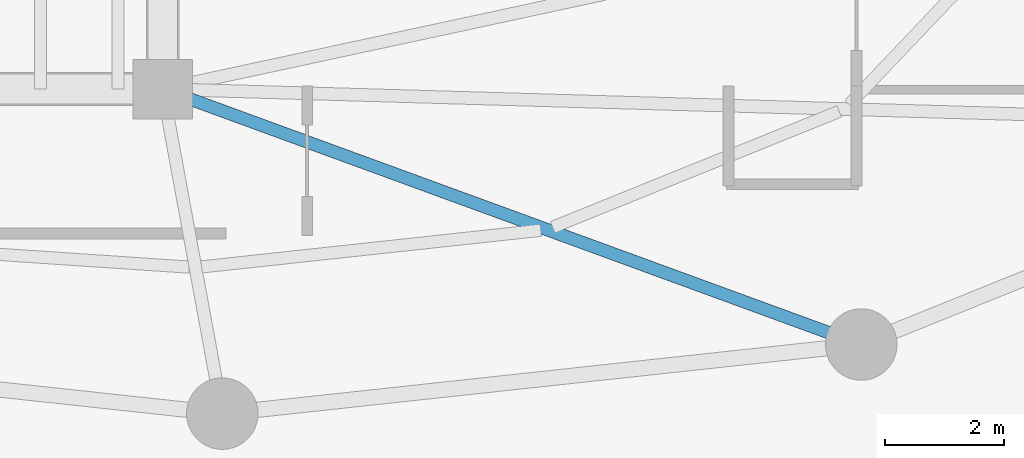
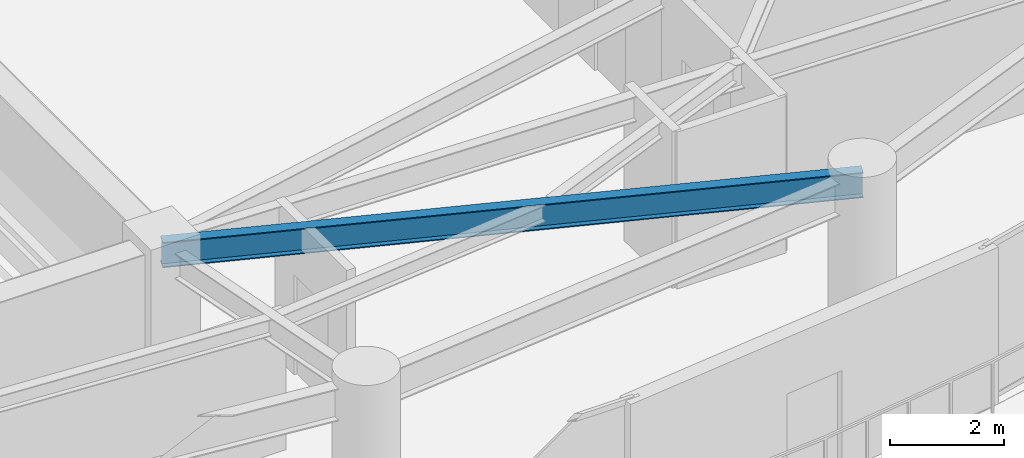
# One storey, part 11 of 33: 1 beam.
"""IFC4 building model written with IfcOpenShell, lengths in metres."""

from ifc_helpers import new_model, si_unit, direction, frame, origin, origin_2d, place, context, subcontext, project, spatial, i_section, extrude, material, material_profile, profile_set, type_object, element, save


model = new_model("IFC4")

# Units and contexts
model_context = context("Model", 3, precision=1e-05, world=origin(), true_north=direction((0.0, 1.0)))
body_context = subcontext(model_context, "Body", "Model", "MODEL_VIEW")
ifc_project = project(units=[si_unit("LENGTHUNIT", "METRE"), si_unit("AREAUNIT", "SQUARE_METRE"), si_unit("VOLUMEUNIT", "CUBIC_METRE"), si_unit("PLANEANGLEUNIT", "RADIAN"), si_unit("MASSUNIT", "GRAM", prefix="KILO")], contexts=[model_context])

# Site, building, storey
site_placement = place(None, origin())
site = spatial("IfcSite", under=ifc_project, at=site_placement, CompositionType="ELEMENT")
building_placement = place(site_placement, origin())
building = spatial("IfcBuilding", under=site, at=building_placement, Name="Kazevale Care Tower and Concert Hall", CompositionType="ELEMENT")
storey_placement = place(building_placement, frame((0.0, 0.0, 145.800048828125)))
storey = spatial("IfcBuildingStorey", under=building, at=storey_placement, Name="L38", CompositionType="ELEMENT", Elevation=145.800048828125)

# Beam
ifc_material = material(Name="Steel ASTM A572 Gr 50", Category="steel")
ifc_material_profile = material_profile(ifc_material, i_section(OverallWidth=0.2119140625, OverallDepth=0.5439453125, WebThickness=0.01318359375, FlangeThickness=0.021240234375, at=origin_2d()), Name="W530x123")
ifc_profile_set = profile_set([ifc_material_profile], Name="Steel ASTM A572 Gr 50")
beam_type = type_object("IfcBeamType", Name="Radial Floor Girder W530x123", PredefinedType="BEAM", material=ifc_profile_set)
beam_placement = place(storey_placement, frame((44.0, 23.60009765625, 3.087890625), z_axis=(0.939159459123, -0.343481455599, 0.0), x_axis=(0.343481455599, 0.939159459123, 0.0)))
element("IfcBeam", 1, at=beam_placement, inside=storey, type_object=beam_type, Name="beam:L38:rad:14", PredefinedType="BEAM", context=body_context, shape_type="SweptSolid", body=[
    extrude(i_section(OverallWidth=0.2119140625, OverallDepth=0.5439453125, WebThickness=0.01318359375, FlangeThickness=0.021240234375, at=origin_2d()), origin(), (0.0, 0.0, 1.0), 12.489990234375),
])

save(model, "model.ifc")
